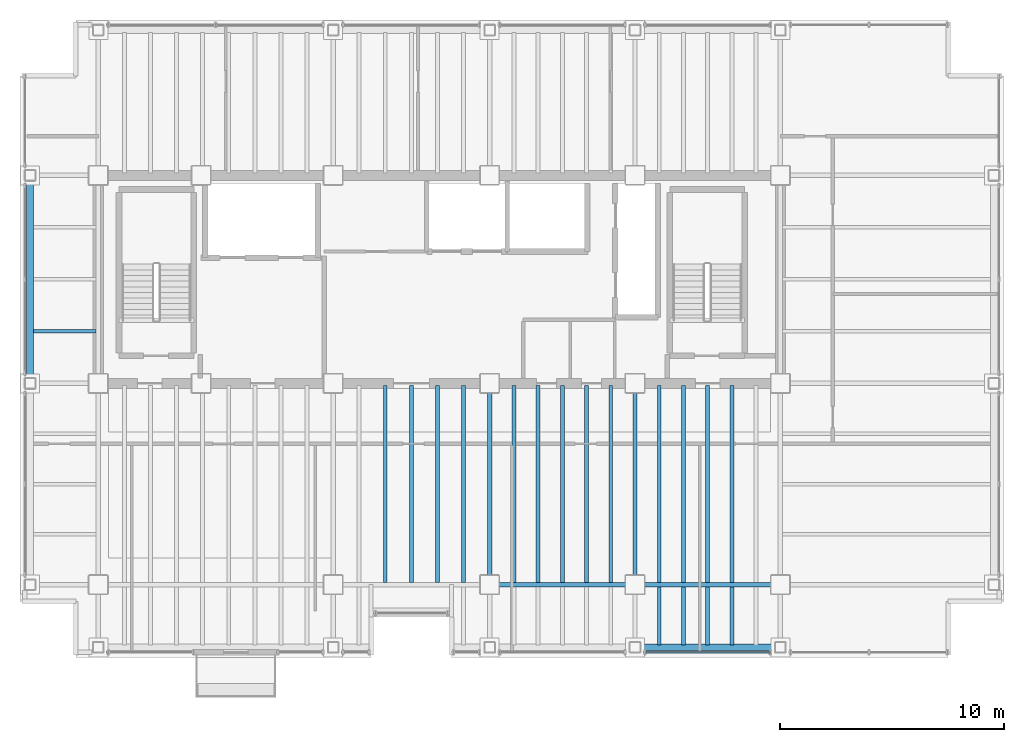
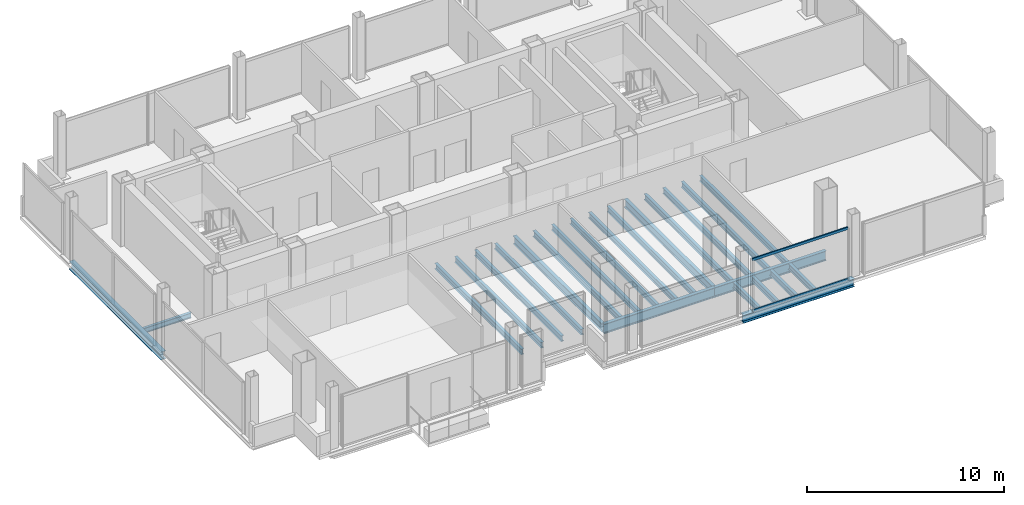
# One storey, part 5 of 15: 24 beams, 2 members, 1 element without a shape of its own.
"""IFC4 building model written with IfcOpenShell, lengths in metres."""

from ifc_helpers import new_model, si_unit, direction, frame, origin, origin_2d, place, context, subcontext, project, spatial, hollow_rectangle, i_section, extrude, material, material_profile, profile_set, type_object, element, aggregate, save


model = new_model("IFC4")

# Units and contexts
model_context = context("Model", 3, precision=1e-05, world=origin(), true_north=direction((0.0, 1.0)))
body_context = subcontext(model_context, "Body", "Model", "MODEL_VIEW")
ifc_project = project(units=[si_unit("LENGTHUNIT", "METRE"), si_unit("AREAUNIT", "SQUARE_METRE"), si_unit("VOLUMEUNIT", "CUBIC_METRE"), si_unit("PLANEANGLEUNIT", "RADIAN"), si_unit("MASSUNIT", "GRAM", prefix="KILO")], contexts=[model_context])

# Site, building, storey
site_placement = place(None, origin())
site = spatial("IfcSite", under=ifc_project, at=site_placement, CompositionType="ELEMENT")
building_placement = place(site_placement, origin())
building = spatial("IfcBuilding", under=site, at=building_placement, Name="Noeulbin Bourse Tower", CompositionType="ELEMENT")
storey_placement = place(building_placement, frame((0.0, 0.0, 189.0)))
storey = spatial("IfcBuildingStorey", under=building, at=storey_placement, Name="L47", CompositionType="ELEMENT", Elevation=189.0)

# Beams
ifc_material_1 = material(Name="Steel S355", Category="steel")
ifc_material_profile_1 = material_profile(ifc_material_1, i_section(OverallWidth=0.199951171875, OverallDepth=0.5, WebThickness=0.010009765625, FlangeThickness=0.01611328125, FilletRadius=0.02001953125, at=origin_2d()), Name="H-500x200x10x16", Category="LoadBearing")
ifc_profile_set_1 = profile_set([ifc_material_profile_1], Name="Steel S355")
beam_type_1 = type_object("IfcBeamType", Name="BM-GRD-500", PredefinedType="USERDEFINED", material=ifc_profile_set_1)
for number, where, z_axis, x_axis, name in (
    (1, (31.0, 20.0, -0.429931640625), (0.0, 1.0, 0.0), (-1.0, 0.0, 0.0), "Tower Primary Girder NS L47-3.2"),
    (2, (37.5, 20.0, -0.429931640625), (0.0, 1.0, 0.0), (-1.0, 0.0, 0.0), "Tower Primary Girder NS L47-4.2"),
):
    element("IfcBeam", number, at=place(storey_placement, frame(where, z_axis=z_axis, x_axis=x_axis)), inside=storey, type_object=beam_type_1, Name=name, ObjectType="GIRDER", PredefinedType="USERDEFINED", context=body_context, shape_type="SweptSolid", body=[
        extrude(i_section(OverallWidth=0.199951171875, OverallDepth=0.5, WebThickness=0.010009765625, FlangeThickness=0.01611328125, FilletRadius=0.02001953125, at=origin_2d()), origin(), (0.0, 0.0, 1.0), 9.0),
    ])
ifc_material_profile_2 = material_profile(ifc_material_1, i_section(OverallWidth=0.199951171875, OverallDepth=0.60009765625, WebThickness=0.010986328125, FlangeThickness=0.01708984375, FilletRadius=0.02197265625, at=origin_2d()), Name="H-600x200x11x17", Category="LoadBearing")
ifc_profile_set_2 = profile_set([ifc_material_profile_2], Name="Steel S355")
beam_type_2 = type_object("IfcBeamType", Name="BM-GRD-600", PredefinedType="USERDEFINED", material=ifc_profile_set_2)
for number, where, z_axis, x_axis, name in (
    (3, (31.0, 20.0, -0.47998046875), (1.0, 0.0, 0.0), (0.0, 1.0, 0.0), "Tower Primary Girder EW L47-1.4"),
    (4, (37.5, 20.0, -0.47998046875), (1.0, 0.0, 0.0), (0.0, 1.0, 0.0), "Tower Primary Girder EW L47-1.5"),
):
    element("IfcBeam", number, at=place(storey_placement, frame(where, z_axis=z_axis, x_axis=x_axis)), inside=storey, type_object=beam_type_2, Name=name, ObjectType="GIRDER", PredefinedType="USERDEFINED", context=body_context, shape_type="SweptSolid", body=[
        extrude(i_section(OverallWidth=0.199951171875, OverallDepth=0.60009765625, WebThickness=0.010986328125, FlangeThickness=0.01708984375, FilletRadius=0.02197265625, at=origin_2d()), origin(), (0.0, 0.0, 1.0), 6.5),
    ])
ifc_material_profile_3 = material_profile(ifc_material_1, i_section(OverallWidth=0.159912109375, OverallDepth=0.320068359375, WebThickness=0.006591796875, FlangeThickness=0.010009765625, FilletRadius=0.012939453125, at=origin_2d()), Name="H-320x160x6.5x10", Category="LoadBearing")
ifc_profile_set_3 = profile_set([ifc_material_profile_3], Name="Steel S355")
beam_type_3 = type_object("IfcBeamType", Name="BM-JST-320", PredefinedType="JOIST", material=ifc_profile_set_3)
beam_1_placement = place(storey_placement, frame((10.60009765625, 31.324951171875, -0.340087890625), z_axis=(1.0, 0.0, 0.0), x_axis=(0.0, 1.0, 0.0)))
element("IfcBeam", 5, at=beam_1_placement, inside=storey, type_object=beam_type_3, Name="Wing Composite Joist L47-W70", PredefinedType="JOIST", context=body_context, shape_type="SweptSolid", body=[
    extrude(i_section(OverallWidth=0.159912109375, OverallDepth=0.320068359375, WebThickness=0.006591796875, FlangeThickness=0.010009765625, FilletRadius=0.012939453125, at=origin_2d()), origin(), (0.0, 0.0, 1.0), 2.7998046875),
])
ifc_material_profile_4 = material_profile(ifc_material_1, i_section(OverallWidth=0.175048828125, OverallDepth=0.35009765625, WebThickness=0.007080078125, FlangeThickness=0.010986328125, FilletRadius=0.013916015625, at=origin_2d()), Name="H-350x175x7x11", Category="LoadBearing")
ifc_profile_set_4 = profile_set([ifc_material_profile_4], Name="Steel S355")
beam_type_4 = type_object("IfcBeamType", Name="BM-JST-350", PredefinedType="JOIST", material=ifc_profile_set_4)
for number, where, z_axis, x_axis, name in (
    (6, (26.333251953125, 20.10009765625, -0.35498046875), (0.0, 1.0, 0.0), (-1.0, 0.0, 0.0), "Tower Composite Joist L47-28"),
    (7, (27.5, 20.10009765625, -0.35498046875), (0.0, 1.0, 0.0), (-1.0, 0.0, 0.0), "Tower Composite Joist L47-30"),
    (8, (28.666748046875, 20.10009765625, -0.35498046875), (0.0, 1.0, 0.0), (-1.0, 0.0, 0.0), "Tower Composite Joist L47-32"),
    (9, (29.833251953125, 20.10009765625, -0.35498046875), (0.0, 1.0, 0.0), (-1.0, 0.0, 0.0), "Tower Composite Joist L47-35"),
    (10, (32.083251953125, 20.10009765625, -0.35498046875), (0.0, 1.0, 0.0), (-1.0, 0.0, 0.0), "Tower Composite Joist L47-38"),
    (11, (33.166748046875, 20.10009765625, -0.35498046875), (0.0, 1.0, 0.0), (-1.0, 0.0, 0.0), "Tower Composite Joist L47-41"),
    (12, (34.25, 20.10009765625, -0.35498046875), (0.0, 1.0, 0.0), (-1.0, 0.0, 0.0), "Tower Composite Joist L47-44"),
    (13, (35.333251953125, 20.10009765625, -0.35498046875), (0.0, 1.0, 0.0), (-1.0, 0.0, 0.0), "Tower Composite Joist L47-47"),
    (14, (36.416748046875, 20.10009765625, -0.35498046875), (0.0, 1.0, 0.0), (-1.0, 0.0, 0.0), "Tower Composite Joist L47-50"),
):
    element("IfcBeam", number, at=place(storey_placement, frame(where, z_axis=z_axis, x_axis=x_axis)), inside=storey, type_object=beam_type_4, Name=name, PredefinedType="JOIST", context=body_context, shape_type="SweptSolid", body=[
        extrude(i_section(OverallWidth=0.175048828125, OverallDepth=0.35009765625, WebThickness=0.007080078125, FlangeThickness=0.010986328125, FilletRadius=0.013916015625, at=origin_2d()), origin(), (0.0, 0.0, 1.0), 8.7998046875),
    ])
beam_2_placement = place(storey_placement, frame((38.583251953125, 17.300048828125, -0.35498046875), z_axis=(0.0, 1.0, 0.0), x_axis=(-1.0, 0.0, 0.0)))
element("IfcBeam", 15, at=beam_2_placement, inside=storey, type_object=beam_type_4, Name="Tower Composite Joist L47-52", PredefinedType="JOIST", context=body_context, shape_type="SweptSolid", body=[
    extrude(i_section(OverallWidth=0.175048828125, OverallDepth=0.35009765625, WebThickness=0.007080078125, FlangeThickness=0.010986328125, FilletRadius=0.013916015625, at=origin_2d()), origin(), (0.0, 0.0, 1.0), 2.599853515625),
])
beam_3_placement = place(storey_placement, frame((38.583251953125, 20.10009765625, -0.35498046875), z_axis=(0.0, 1.0, 0.0), x_axis=(-1.0, 0.0, 0.0)))
element("IfcBeam", 16, at=beam_3_placement, inside=storey, type_object=beam_type_4, Name="Tower Composite Joist L47-53", PredefinedType="JOIST", context=body_context, shape_type="SweptSolid", body=[
    extrude(i_section(OverallWidth=0.175048828125, OverallDepth=0.35009765625, WebThickness=0.007080078125, FlangeThickness=0.010986328125, FilletRadius=0.013916015625, at=origin_2d()), origin(), (0.0, 0.0, 1.0), 8.7998046875),
])
beam_4_placement = place(storey_placement, frame((39.666748046875, 17.300048828125, -0.35498046875), z_axis=(0.0, 1.0, 0.0), x_axis=(-1.0, 0.0, 0.0)))
element("IfcBeam", 17, at=beam_4_placement, inside=storey, type_object=beam_type_4, Name="Tower Composite Joist L47-55", PredefinedType="JOIST", context=body_context, shape_type="SweptSolid", body=[
    extrude(i_section(OverallWidth=0.175048828125, OverallDepth=0.35009765625, WebThickness=0.007080078125, FlangeThickness=0.010986328125, FilletRadius=0.013916015625, at=origin_2d()), origin(), (0.0, 0.0, 1.0), 2.599853515625),
])
beam_5_placement = place(storey_placement, frame((39.666748046875, 20.10009765625, -0.35498046875), z_axis=(0.0, 1.0, 0.0), x_axis=(-1.0, 0.0, 0.0)))
element("IfcBeam", 18, at=beam_5_placement, inside=storey, type_object=beam_type_4, Name="Tower Composite Joist L47-56", PredefinedType="JOIST", context=body_context, shape_type="SweptSolid", body=[
    extrude(i_section(OverallWidth=0.175048828125, OverallDepth=0.35009765625, WebThickness=0.007080078125, FlangeThickness=0.010986328125, FilletRadius=0.013916015625, at=origin_2d()), origin(), (0.0, 0.0, 1.0), 8.7998046875),
])
beam_6_placement = place(storey_placement, frame((40.75, 17.300048828125, -0.35498046875), z_axis=(0.0, 1.0, 0.0), x_axis=(-1.0, 0.0, 0.0)))
element("IfcBeam", 19, at=beam_6_placement, inside=storey, type_object=beam_type_4, Name="Tower Composite Joist L47-58", PredefinedType="JOIST", context=body_context, shape_type="SweptSolid", body=[
    extrude(i_section(OverallWidth=0.175048828125, OverallDepth=0.35009765625, WebThickness=0.007080078125, FlangeThickness=0.010986328125, FilletRadius=0.013916015625, at=origin_2d()), origin(), (0.0, 0.0, 1.0), 2.599853515625),
])
beam_7_placement = place(storey_placement, frame((40.75, 20.10009765625, -0.35498046875), z_axis=(0.0, 1.0, 0.0), x_axis=(-1.0, 0.0, 0.0)))
element("IfcBeam", 20, at=beam_7_placement, inside=storey, type_object=beam_type_4, Name="Tower Composite Joist L47-59", PredefinedType="JOIST", context=body_context, shape_type="SweptSolid", body=[
    extrude(i_section(OverallWidth=0.175048828125, OverallDepth=0.35009765625, WebThickness=0.007080078125, FlangeThickness=0.010986328125, FilletRadius=0.013916015625, at=origin_2d()), origin(), (0.0, 0.0, 1.0), 8.7998046875),
])
beam_8_placement = place(storey_placement, frame((41.833251953125, 17.300048828125, -0.35498046875), z_axis=(0.0, 1.0, 0.0), x_axis=(-1.0, 0.0, 0.0)))
element("IfcBeam", 21, at=beam_8_placement, inside=storey, type_object=beam_type_4, Name="Tower Composite Joist L47-61", PredefinedType="JOIST", context=body_context, shape_type="SweptSolid", body=[
    extrude(i_section(OverallWidth=0.175048828125, OverallDepth=0.35009765625, WebThickness=0.007080078125, FlangeThickness=0.010986328125, FilletRadius=0.013916015625, at=origin_2d()), origin(), (0.0, 0.0, 1.0), 2.599853515625),
])
beam_9_placement = place(storey_placement, frame((41.833251953125, 20.10009765625, -0.35498046875), z_axis=(0.0, 1.0, 0.0), x_axis=(-1.0, 0.0, 0.0)))
element("IfcBeam", 22, at=beam_9_placement, inside=storey, type_object=beam_type_4, Name="Tower Composite Joist L47-62", PredefinedType="JOIST", context=body_context, shape_type="SweptSolid", body=[
    extrude(i_section(OverallWidth=0.175048828125, OverallDepth=0.35009765625, WebThickness=0.007080078125, FlangeThickness=0.010986328125, FilletRadius=0.013916015625, at=origin_2d()), origin(), (0.0, 0.0, 1.0), 8.7998046875),
])
ifc_material_profile_5 = material_profile(ifc_material_1, i_section(OverallWidth=0.300048828125, OverallDepth=0.488037109375, WebThickness=0.010986328125, FlangeThickness=0.01806640625, FilletRadius=0.02197265625, at=origin_2d()), Name="H-488x300x11x18", Category="LoadBearing")
ifc_profile_set_5 = profile_set([ifc_material_profile_5], Name="Steel S355")
beam_type_5 = type_object("IfcBeamType", Name="BM-SPN-488", PredefinedType="SPANDREL", material=ifc_profile_set_5)
beam_10_placement = place(storey_placement, frame((37.5, 17.199951171875, -0.424072265625), z_axis=(1.0, 0.0, 0.0), x_axis=(0.0, 1.0, 0.0)))
element("IfcBeam", 23, at=beam_10_placement, inside=storey, type_object=beam_type_5, Name="South Spandrel L47-4", PredefinedType="SPANDREL", context=body_context, shape_type="SweptSolid", body=[
    extrude(i_section(OverallWidth=0.300048828125, OverallDepth=0.488037109375, WebThickness=0.010986328125, FlangeThickness=0.01806640625, FilletRadius=0.02197265625, at=origin_2d()), origin(), (0.0, 0.0, 1.0), 6.5),
])
beam_11_placement = place(storey_placement, frame((10.449951171875, 29.0, -0.424072265625), z_axis=(0.0, 1.0, 0.0), x_axis=(-1.0, 0.0, 0.0)))
element("IfcBeam", 24, at=beam_11_placement, inside=storey, type_object=beam_type_5, Name="West Spandrel L47-2", PredefinedType="SPANDREL", context=body_context, shape_type="SweptSolid", body=[
    extrude(i_section(OverallWidth=0.300048828125, OverallDepth=0.488037109375, WebThickness=0.010986328125, FlangeThickness=0.01806640625, FilletRadius=0.02197265625, at=origin_2d()), origin(), (0.0, 0.0, 1.0), 9.300048828125),
])

# Curtain wall, members
ifc_material_2 = material(Name="Dark Tinted Triple Glazing", Category="glass")
curtain_wall_type = type_object("IfcCurtainWallType", Name="CW-SYS-3", PredefinedType="NOTDEFINED", material=ifc_material_2)
curtain_wall_placement = place(storey_placement, origin())
curtain_wall = element("IfcCurtainWall", 25, at=curtain_wall_placement, inside=storey, type_object=curtain_wall_type, Name="Unitised Curtain Wall CW-L47-S3-S3", PredefinedType="NOTDEFINED")
ifc_material_3 = material(Name="Anodised Aluminium 6063-T6", Category="aluminium")
ifc_material_profile_6 = material_profile(ifc_material_3, hollow_rectangle(XDim=0.074951171875, YDim=0.159912109375, WallThickness=0.0048828125, InnerFilletRadius=0.00244140625, OuterFilletRadius=0.0048828125, at=origin_2d()), Name="ALU-TRAN-75x160x5", Category="LoadBearing")
ifc_profile_set_6 = profile_set([ifc_material_profile_6], Name="Anodised Aluminium 6063-T6")
member_type = type_object("IfcMemberType", Name="CW-SYS-3-TRN", PredefinedType="USERDEFINED", material=ifc_profile_set_6)
member_1_placement = place(storey_placement, frame((37.9599609375, 16.969970703125, 0.010009765625), z_axis=(1.0, 0.0, 0.0), x_axis=(0.0, 1.0, 0.0)))
member_1 = element("IfcMember", 26, at=member_1_placement, type_object=member_type, Name="Curtain Wall Transom CW-L47-S3-S3-T00", ObjectType="TRANSOM", PredefinedType="USERDEFINED", context=body_context, shape_type="SweptSolid", body=[
    extrude(hollow_rectangle(XDim=0.074951171875, YDim=0.159912109375, WallThickness=0.0048828125, InnerFilletRadius=0.00244140625, OuterFilletRadius=0.0048828125, at=origin_2d()), origin(), (0.0, 0.0, 1.0), 5.580078125),
])
member_2_placement = place(storey_placement, frame((37.9599609375, 16.969970703125, 3.169921875), z_axis=(1.0, 0.0, 0.0), x_axis=(0.0, 1.0, 0.0)))
member_2 = element("IfcMember", 27, at=member_2_placement, type_object=member_type, Name="Curtain Wall Transom CW-L47-S3-S3-T01", ObjectType="TRANSOM", PredefinedType="USERDEFINED", context=body_context, shape_type="SweptSolid", body=[
    extrude(hollow_rectangle(XDim=0.074951171875, YDim=0.159912109375, WallThickness=0.0048828125, InnerFilletRadius=0.00244140625, OuterFilletRadius=0.0048828125, at=origin_2d()), origin(), (0.0, 0.0, 1.0), 5.580078125),
])
aggregate(curtain_wall, [member_1, member_2])

save(model, "model.ifc")
